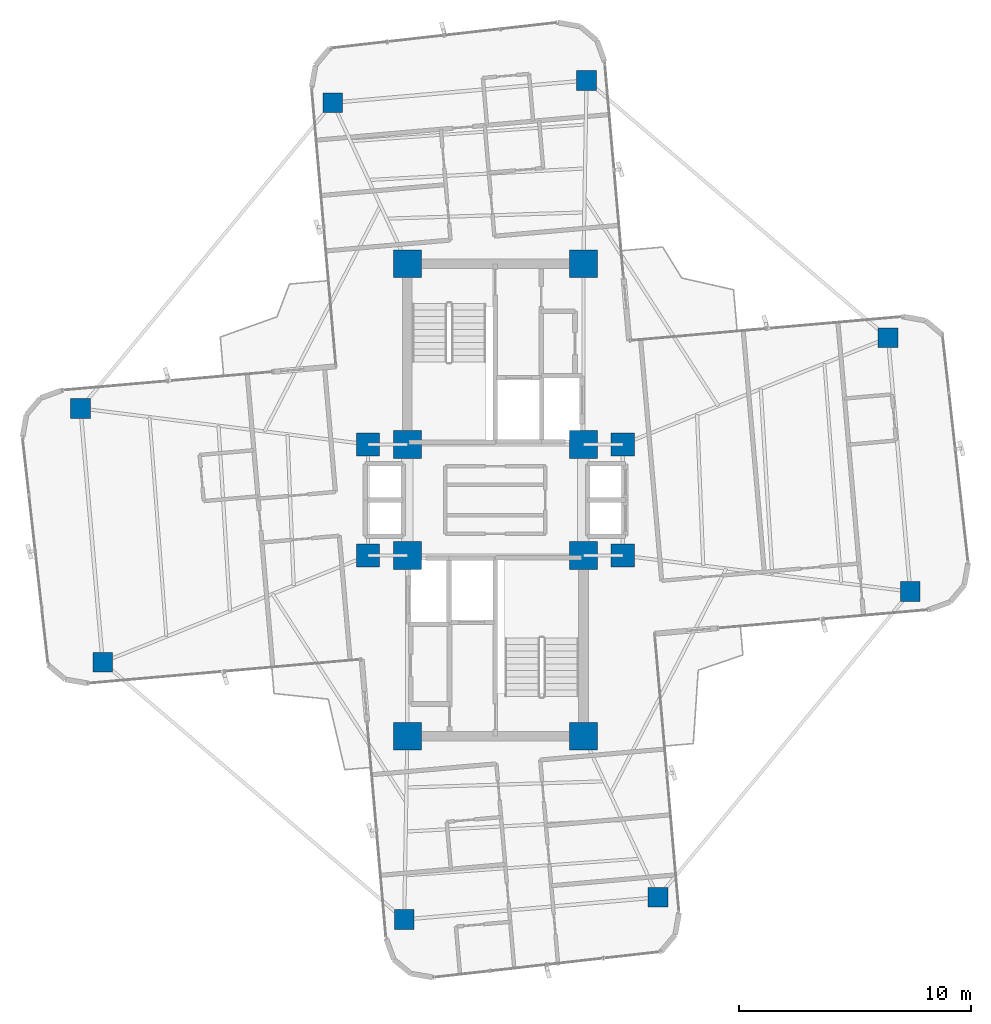
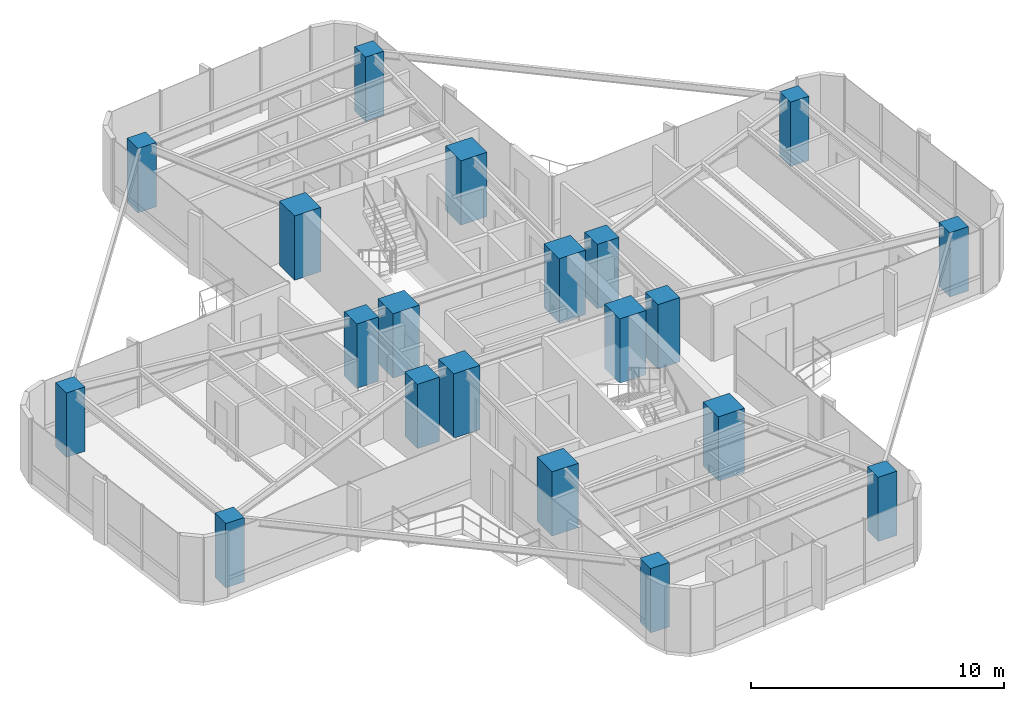
# One storey, part 1 of 24: 20 columns.
"""IFC4 building model written with IfcOpenShell, lengths in metres."""

from ifc_helpers import new_model, si_unit, direction, frame, origin, origin_2d, place, context, subcontext, project, spatial, rectangle, extrude, source, transform, mapped, material, material_profile, profile_set, type_object, element, save


model = new_model("IFC4")

# Units and contexts
model_context = context("Model", 3, precision=1e-05, world=origin(), true_north=direction((0.0, 1.0)))
body_context = subcontext(model_context, "Body", "Model", "MODEL_VIEW")
ifc_project = project(units=[si_unit("LENGTHUNIT", "METRE"), si_unit("AREAUNIT", "SQUARE_METRE"), si_unit("VOLUMEUNIT", "CUBIC_METRE"), si_unit("PLANEANGLEUNIT", "RADIAN"), si_unit("MASSUNIT", "GRAM", prefix="KILO")], contexts=[model_context])

# Site, building, storey
site_placement = place(None, origin())
site = spatial("IfcSite", under=ifc_project, at=site_placement, CompositionType="ELEMENT")
building_placement = place(site_placement, origin())
building = spatial("IfcBuilding", under=site, at=building_placement, Name="Sahyath Konkavel Grand Hotel", CompositionType="ELEMENT")
storey_placement = place(building_placement, frame((0.0, 0.0, 157.300048828125)))
storey = spatial("IfcBuildingStorey", under=building, at=storey_placement, Name="L43", CompositionType="ELEMENT", Elevation=157.300048828125)

# Columns
ifc_material_1 = material(Name="Concrete C50/60", Category="concrete")
ifc_material_profile_1 = material_profile(ifc_material_1, rectangle(XDim=1.199951171875, YDim=1.199951171875, at=origin_2d()), Name="RC 1200x1200")
ifc_profile_set_1 = profile_set([ifc_material_profile_1], Name="Concrete C50/60")
column_type_1 = type_object("IfcColumnType", Name="COL-RC1200", PredefinedType="COLUMN", material=ifc_profile_set_1)
shared_shape_1 = source(origin(), body_context, "Body", "SweptSolid", [
    extrude(rectangle(XDim=1.199951171875, YDim=1.199951171875, at=origin_2d()), origin(), (0.0, 0.0, 1.0), 3.10986328125),
])
for number, where, z_axis, x_axis, name in (
    (1, (-3.800048828125, 2.39990234375, 0.0), (0.0, 0.0, 1.0), (1.0, 0.0, 0.0), "L43 Core Boundary Column NC-SW"),
    (2, (3.800048828125, 2.39990234375, 0.0), (0.0, 0.0, 1.0), (1.0, 0.0, 0.0), "L43 Core Boundary Column NC-SE"),
    (3, (-3.800048828125, 10.199951171875, 0.0), (0.0, 0.0, 1.0), (1.0, 0.0, 0.0), "L43 Core Boundary Column NC-NW"),
    (4, (3.800048828125, 10.199951171875, 0.0), (0.0, 0.0, 1.0), (1.0, 0.0, 0.0), "L43 Core Boundary Column NC-NE"),
    (5, (-3.800048828125, -2.39990234375, 0.0), (0.0, 0.0, 1.0), (1.0, 0.0, 0.0), "L43 Core Boundary Column SC-NW"),
    (6, (3.800048828125, -2.39990234375, 0.0), (0.0, 0.0, 1.0), (1.0, 0.0, 0.0), "L43 Core Boundary Column SC-NE"),
    (7, (-3.800048828125, -10.199951171875, 0.0), (0.0, 0.0, 1.0), (1.0, 0.0, 0.0), "L43 Core Boundary Column SC-SW"),
    (8, (3.800048828125, -10.199951171875, 0.0), (0.0, 0.0, 1.0), (1.0, 0.0, 0.0), "L43 Core Boundary Column SC-SE"),
):
    element("IfcColumn", number, at=place(storey_placement, frame(where, z_axis=z_axis, x_axis=x_axis)), inside=storey, type_object=column_type_1, Name=name, PredefinedType="COLUMN", context=body_context, shape_type="MappedRepresentation", body=[
        mapped(shared_shape_1, transform((0.0, 0.0, 0.0), scale=1.0)),
    ])
ifc_material_profile_2 = material_profile(ifc_material_1, rectangle(XDim=1.0, YDim=1.0, at=origin_2d()), Name="RC 1000x1000")
ifc_profile_set_2 = profile_set([ifc_material_profile_2], Name="Concrete C50/60")
column_type_2 = type_object("IfcColumnType", Name="COL-RC1000", PredefinedType="COLUMN", material=ifc_profile_set_2)
shared_shape_2 = source(origin(), body_context, "Body", "SweptSolid", [
    extrude(rectangle(XDim=1.0, YDim=1.0, at=origin_2d()), origin(), (0.0, 0.0, 1.0), 3.10986328125),
])
for number, where, z_axis, x_axis, name in (
    (9, (5.5, 2.39990234375, 0.0), (0.0, 0.0, 1.0), (1.0, 0.0, 0.0), "L43 Central Spine Column HB-NE"),
    (10, (-5.5, 2.39990234375, 0.0), (0.0, 0.0, 1.0), (1.0, 0.0, 0.0), "L43 Central Spine Column HB-NW"),
    (11, (5.5, -2.39990234375, 0.0), (0.0, 0.0, 1.0), (1.0, 0.0, 0.0), "L43 Central Spine Column HB-SE"),
    (12, (-5.5, -2.39990234375, 0.0), (0.0, 0.0, 1.0), (1.0, 0.0, 0.0), "L43 Central Spine Column HB-SW"),
):
    element("IfcColumn", number, at=place(storey_placement, frame(where, z_axis=z_axis, x_axis=x_axis)), inside=storey, type_object=column_type_2, Name=name, PredefinedType="COLUMN", context=body_context, shape_type="MappedRepresentation", body=[
        mapped(shared_shape_2, transform((0.0, 0.0, 0.0), scale=1.0)),
    ])
ifc_material_2 = material(Name="Concrete C40/50", Category="concrete")
ifc_material_profile_3 = material_profile(ifc_material_2, rectangle(XDim=0.85009765625, YDim=0.85009765625, at=origin_2d()), Name="RC 850x850")
ifc_profile_set_3 = profile_set([ifc_material_profile_3], Name="Concrete C40/50")
column_type_3 = type_object("IfcColumnType", Name="COL-RC850", PredefinedType="COLUMN", material=ifc_profile_set_3)
shared_shape_3 = source(origin(), body_context, "Body", "SweptSolid", [
    extrude(rectangle(XDim=0.85009765625, YDim=0.85009765625, at=origin_2d()), origin(), (0.0, 0.0, 1.0), 3.10986328125),
])
for number, where, z_axis, x_axis, name in (
    (13, (17.912841796875, -3.953857421875, 0.0), (0.0, 0.0, 1.0), (1.0, 0.0, 0.0), "L43 Cruciform Wing Column WC-EA"),
    (14, (16.9541015625, 7.00439453125, 0.0), (0.0, 0.0, 1.0), (1.0, 0.0, 0.0), "L43 Cruciform Wing Column WC-EB"),
    (15, (3.936279296875, 18.112060546875, 0.0), (0.0, 0.0, 1.0), (1.0, 0.0, 0.0), "L43 Cruciform Wing Column WC-NA"),
    (16, (-7.021728515625, 17.1533203125, 0.0), (0.0, 0.0, 1.0), (1.0, 0.0, 0.0), "L43 Cruciform Wing Column WC-NB"),
    (17, (-17.912841796875, 3.953857421875, 0.0), (0.0, 0.0, 1.0), (1.0, 0.0, 0.0), "L43 Cruciform Wing Column WC-WA"),
    (18, (-16.9541015625, -7.00439453125, 0.0), (0.0, 0.0, 1.0), (1.0, 0.0, 0.0), "L43 Cruciform Wing Column WC-WB"),
    (19, (-3.936279296875, -18.112060546875, 0.0), (0.0, 0.0, 1.0), (1.0, 0.0, 0.0), "L43 Cruciform Wing Column WC-SA"),
    (20, (7.021728515625, -17.1533203125, 0.0), (0.0, 0.0, 1.0), (1.0, 0.0, 0.0), "L43 Cruciform Wing Column WC-SB"),
):
    element("IfcColumn", number, at=place(storey_placement, frame(where, z_axis=z_axis, x_axis=x_axis)), inside=storey, type_object=column_type_3, Name=name, PredefinedType="COLUMN", context=body_context, shape_type="MappedRepresentation", body=[
        mapped(shared_shape_3, transform((0.0, 0.0, 0.0), scale=1.0)),
    ])

save(model, "model.ifc")
